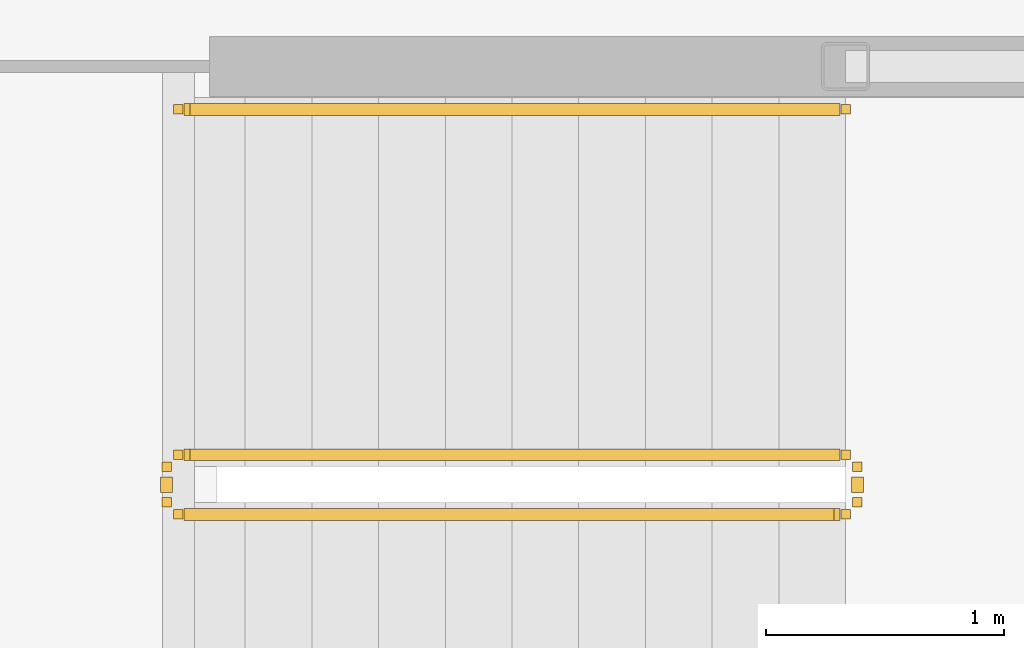
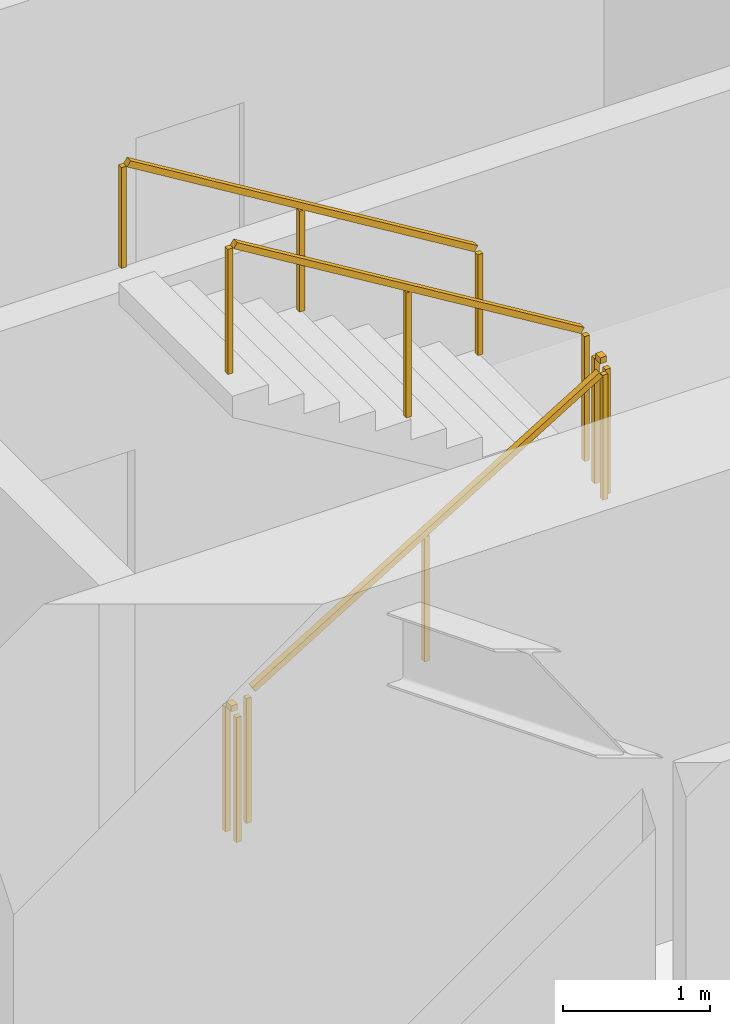
# One storey, part 28 of 31: 5 railings.
"""IFC4 building model written with IfcOpenShell, lengths in metres."""

from ifc_helpers import new_model, si_unit, direction, frame, origin, origin_2d, place, context, subcontext, project, spatial, rectangle, extrude, material, type_object, element, save


model = new_model("IFC4")

# Units and contexts
model_context = context("Model", 3, precision=1e-05, world=origin(), true_north=direction((0.0, 1.0)))
body_context = subcontext(model_context, "Body", "Model", "MODEL_VIEW")
ifc_project = project(units=[si_unit("LENGTHUNIT", "METRE"), si_unit("AREAUNIT", "SQUARE_METRE"), si_unit("VOLUMEUNIT", "CUBIC_METRE"), si_unit("PLANEANGLEUNIT", "RADIAN"), si_unit("MASSUNIT", "GRAM", prefix="KILO")], contexts=[model_context])

# Site, building, storey
site_placement = place(None, origin())
site = spatial("IfcSite", under=ifc_project, at=site_placement, CompositionType="ELEMENT")
building_placement = place(site_placement, origin())
building = spatial("IfcBuilding", under=site, at=building_placement, Name="Kazma Halo Residences", CompositionType="ELEMENT")
storey_placement = place(building_placement, frame((0.0, 0.0, 52.64990234375)))
storey = spatial("IfcBuildingStorey", under=building, at=storey_placement, Name="L12", CompositionType="ELEMENT", Elevation=52.64990234375)

# Railings
ifc_material_1 = material(Name="Painted Steel S355", Category="steel")
railing_type_1 = type_object("IfcRailingType", Name="RLG-STAIR-GRD-1100", PredefinedType="GUARDRAIL", material=ifc_material_1)
railing_1_placement = place(storey_placement, frame((53.199951171875, 35.5, 0.170654296875)))
element("IfcRailing", 1, at=railing_1_placement, inside=storey, type_object=railing_type_1, Name="L12 ST-03 stair guard 1", PredefinedType="GUARDRAIL", context=body_context, shape_type="SweptSolid", body=[
    extrude(rectangle(XDim=0.050048828125, YDim=0.050048828125, at=origin_2d()), frame((0.036376953125, 0.0, 1.09716796875), z_axis=(0.854202870247, 0.0, 0.519939858505), x_axis=(0.0, 1.0, 0.0)), (0.0, 0.0, 1.0), 3.19287109375),
    extrude(rectangle(XDim=0.0400390625, YDim=0.0400390625, at=origin_2d()), origin(), (0.0, 0.0, 1.0), 1.0380859375),
    extrude(rectangle(XDim=0.0400390625, YDim=0.0400390625, at=origin_2d()), frame((1.39990234375, 0.0, 0.85205078125)), (0.0, 0.0, 1.0), 1.0380859375),
    extrude(rectangle(XDim=0.0400390625, YDim=0.0400390625, at=origin_2d()), frame((2.800048828125, 0.0, 1.704345703125)), (0.0, 0.0, 1.0), 1.0380859375),
])
railing_2_placement = place(storey_placement, frame((56.050048828125, 35.550048828125, 1.875)))
element("IfcRailing", 2, at=railing_2_placement, inside=storey, type_object=railing_type_1, Name="L12 ST-03 stair guard 2", PredefinedType="GUARDRAIL", context=body_context, shape_type="SweptSolid", body=[
    extrude(rectangle(XDim=0.050048828125, YDim=0.050048828125, at=origin_2d()), frame((0.0, 0.04248046875, 1.0751953125), z_axis=(0.0, 1.0, 0.0), x_axis=(-1.0, 0.0, 0.0)), (0.0, 0.0, 1.0), 0.06494140625),
    extrude(rectangle(XDim=0.0400390625, YDim=0.0400390625, at=origin_2d()), origin(), (0.0, 0.0, 1.0), 1.0380859375),
    extrude(rectangle(XDim=0.0400390625, YDim=0.0400390625, at=origin_2d()), frame((0.0, 0.14990234375, 0.0)), (0.0, 0.0, 1.0), 1.0380859375),
])
railing_3_placement = place(storey_placement, frame((56.0, 35.75, 2.045654296875)))
element("IfcRailing", 3, at=railing_3_placement, inside=storey, type_object=railing_type_1, Name="L12 ST-03 stair guard 3", PredefinedType="GUARDRAIL", context=body_context, shape_type="SweptSolid", body=[
    extrude(rectangle(XDim=0.050048828125, YDim=0.050048828125, at=origin_2d()), frame((-0.036376953125, 0.0, 1.09716796875), z_axis=(-0.854202870247, 0.0, 0.519939858505), x_axis=(0.0, -1.0, 0.0)), (0.0, 0.0, 1.0), 3.19287109375),
    extrude(rectangle(XDim=0.0400390625, YDim=0.0400390625, at=origin_2d()), origin(), (0.0, 0.0, 1.0), 1.0380859375),
    extrude(rectangle(XDim=0.0400390625, YDim=0.0400390625, at=origin_2d()), frame((-1.39990234375, 0.0, 0.85205078125)), (0.0, 0.0, 1.0), 1.0380859375),
    extrude(rectangle(XDim=0.0400390625, YDim=0.0400390625, at=origin_2d()), frame((-2.800048828125, 0.0, 1.704345703125)), (0.0, 0.0, 1.0), 1.0380859375),
])
railing_4_placement = place(storey_placement, frame((53.14990234375, 35.550048828125, 0.0)))
element("IfcRailing", 4, at=railing_4_placement, inside=storey, type_object=railing_type_1, Name="L12 ST-03 stair guard 4", PredefinedType="GUARDRAIL", context=body_context, shape_type="SweptSolid", body=[
    extrude(rectangle(XDim=0.050048828125, YDim=0.050048828125, at=origin_2d()), frame((0.0, 0.04248046875, 1.0751953125), z_axis=(0.0, 1.0, 0.0), x_axis=(-1.0, 0.0, 0.0)), (0.0, 0.0, 1.0), 0.06494140625),
    extrude(rectangle(XDim=0.0400390625, YDim=0.0400390625, at=origin_2d()), origin(), (0.0, 0.0, 1.0), 1.0380859375),
    extrude(rectangle(XDim=0.0400390625, YDim=0.0400390625, at=origin_2d()), frame((0.0, 0.14990234375, 0.0)), (0.0, 0.0, 1.0), 1.0380859375),
])
ifc_material_2 = material(Name="Brushed Stainless Steel", Category="steel")
railing_type_2 = type_object("IfcRailingType", Name="RLG-STAIR-HND-900", PredefinedType="HANDRAIL", material=ifc_material_2)
railing_5_placement = place(storey_placement, frame((56.0, 37.199951171875, 2.045654296875)))
element("IfcRailing", 5, at=railing_5_placement, inside=storey, type_object=railing_type_2, Name="L12 ST-03 stair handrail 2", PredefinedType="HANDRAIL", context=body_context, shape_type="SweptSolid", body=[
    extrude(rectangle(XDim=0.050048828125, YDim=0.050048828125, at=origin_2d()), frame((-0.036376953125, 0.0, 0.89697265625), z_axis=(-0.854202870247, 0.0, 0.519939858505), x_axis=(0.0, -1.0, 0.0)), (0.0, 0.0, 1.0), 3.19287109375),
    extrude(rectangle(XDim=0.0400390625, YDim=0.0400390625, at=origin_2d()), origin(), (0.0, 0.0, 1.0), 0.837890625),
    extrude(rectangle(XDim=0.0400390625, YDim=0.0400390625, at=origin_2d()), frame((-1.39990234375, 0.0, 0.85205078125)), (0.0, 0.0, 1.0), 0.837890625),
    extrude(rectangle(XDim=0.0400390625, YDim=0.0400390625, at=origin_2d()), frame((-2.800048828125, 0.0, 1.704345703125)), (0.0, 0.0, 1.0), 0.837890625),
])

save(model, "model.ifc")
